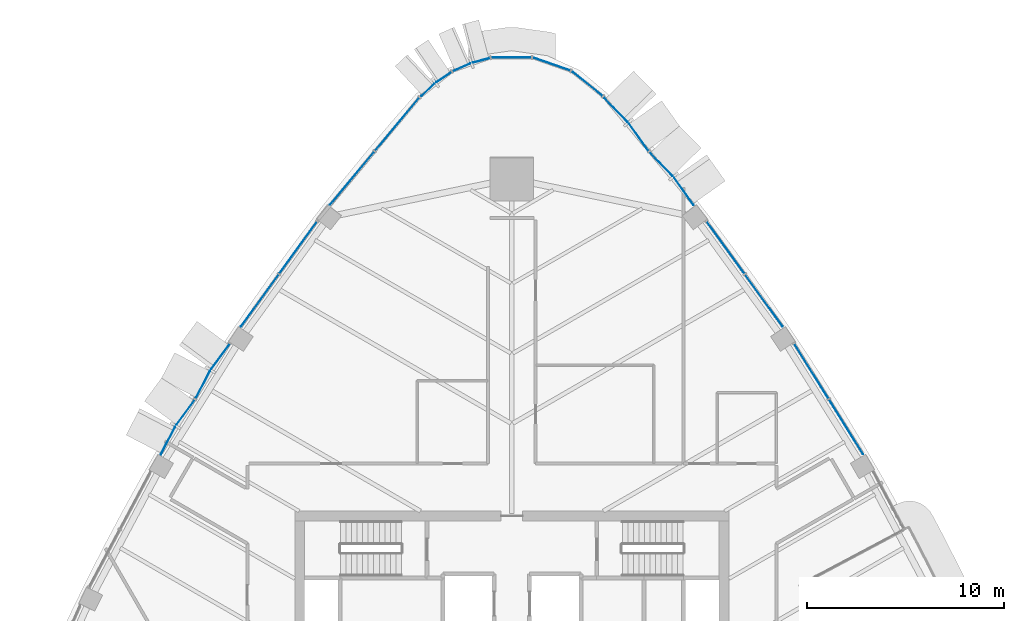
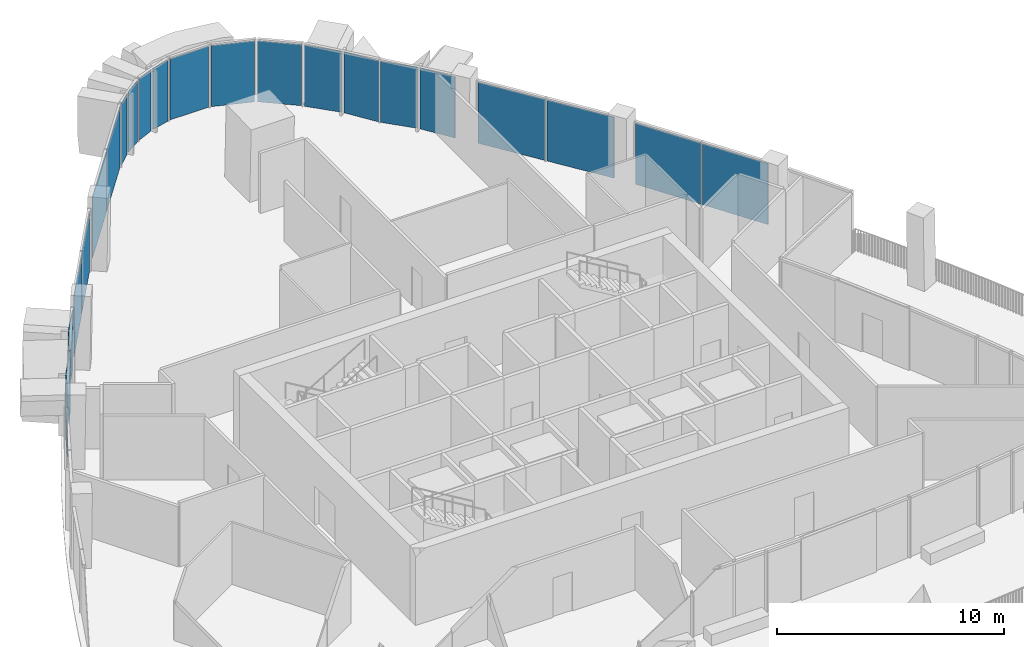
# One storey, part 12 of 21: 23 plates, 11 elements without a shape of their own.
"""IFC4 building model written with IfcOpenShell, lengths in metres."""

from ifc_helpers import new_model, si_unit, direction, frame, origin, origin_2d, place, context, subcontext, project, spatial, polyline, rectangle, outline, extrude, material, layer, layer_set, type_object, element, aggregate, save


model = new_model("IFC4")

# Units and contexts
model_context = context("Model", 3, precision=1e-05, world=origin(), true_north=direction((0.0, 1.0)))
body_context = subcontext(model_context, "Body", "Model", "MODEL_VIEW")
ifc_project = project(units=[si_unit("LENGTHUNIT", "METRE"), si_unit("AREAUNIT", "SQUARE_METRE"), si_unit("VOLUMEUNIT", "CUBIC_METRE"), si_unit("PLANEANGLEUNIT", "RADIAN"), si_unit("MASSUNIT", "GRAM", prefix="KILO")], contexts=[model_context])

# Site, building, storey
site_placement = place(None, origin())
site = spatial("IfcSite", under=ifc_project, at=site_placement, CompositionType="ELEMENT")
building_placement = place(site_placement, origin())
building = spatial("IfcBuilding", under=site, at=building_placement, Name="Sierra Prisma Convention Tower", CompositionType="ELEMENT")
storey_placement = place(building_placement, frame((0.0, 0.0, 259.0)))
storey = spatial("IfcBuildingStorey", under=building, at=storey_placement, Name="L58", CompositionType="ELEMENT", Elevation=259.0)

# Curtain wall, plates
ifc_material_1 = material(Name="Aluminium and glass curtain wall", Category="aluminium")
ifc_layer_1 = layer(ifc_material_1, 0.179931640625)
ifc_layer_set_1 = layer_set([ifc_layer_1], Name="CW-1 Plain shaft curtain wall")
curtain_wall_type_1 = type_object("IfcCurtainWallType", Name="CW-1 Plain shaft curtain wall", PredefinedType="NOTDEFINED", material=ifc_layer_set_1)
curtain_wall_1_placement = place(storey_placement, origin())
curtain_wall_1 = element("IfcCurtainWall", 1, at=curtain_wall_1_placement, inside=storey, type_object=curtain_wall_type_1, Name="CW-1 NE4 L58", PredefinedType="NOTDEFINED")
ifc_material_2 = material(Name="Tinted glass bronze-grey IGU", Category="glass")
ifc_layer_2 = layer(ifc_material_2, 0.028076171875)
ifc_layer_set_2 = layer_set([ifc_layer_2], Name="CW-1 glass panel")
plate_type_1 = type_object("IfcPlateType", Name="CW-1 glass panel", PredefinedType="CURTAIN_PANEL", material=ifc_layer_set_2)
plate_1_placement = place(storey_placement, frame((16.937744140625, 12.261474609375, 0.0), z_axis=(0.0, 0.0, 1.0), x_axis=(-0.529351013322, 0.848402914125, 0.0)))
plate_1 = element("IfcPlate", 2, at=plate_1_placement, type_object=plate_type_1, Name="CW-1 panel NE4.1", PredefinedType="CURTAIN_PANEL", context=body_context, shape_type="SweptSolid", body=[
    extrude(rectangle(XDim=3.262451171875, YDim=0.028076171875, at=origin_2d()), origin(), (0.0, 0.0, 1.0), 3.280029296875),
])
plate_2_placement = place(storey_placement, frame((15.173583984375, 15.088623046875, 0.0), z_axis=(0.0, 0.0, 1.0), x_axis=(-0.529351013322, 0.848402914125, 0.0)))
plate_2 = element("IfcPlate", 3, at=plate_2_placement, type_object=plate_type_1, Name="CW-1 panel NE4.2", PredefinedType="CURTAIN_PANEL", context=body_context, shape_type="SweptSolid", body=[
    extrude(rectangle(XDim=3.262451171875, YDim=0.028076171875, at=origin_2d()), origin(), (0.0, 0.0, 1.0), 3.280029296875),
])
aggregate(curtain_wall_1, [plate_1, plate_2])

curtain_wall_2_placement = place(storey_placement, origin())
curtain_wall_2 = element("IfcCurtainWall", 4, at=curtain_wall_2_placement, inside=storey, type_object=curtain_wall_type_1, Name="CW-1 NE5 L58", PredefinedType="NOTDEFINED")
plate_3_placement = place(storey_placement, frame((12.77197265625, 18.66064453125, 0.0), z_axis=(0.0, 0.0, 1.0), x_axis=(-0.586158114386, 0.810196682873, 0.0)))
plate_3 = element("IfcPlate", 5, at=plate_3_placement, type_object=plate_type_1, Name="CW-1 panel NE5.1", PredefinedType="CURTAIN_PANEL", context=body_context, shape_type="SweptSolid", body=[
    extrude(rectangle(XDim=3.247314453125, YDim=0.028076171875, at=origin_2d()), origin(), (0.0, 0.0, 1.0), 3.280029296875),
])
plate_4_placement = place(storey_placement, frame((10.82763671875, 21.348388671875, 0.0), z_axis=(0.0, 0.0, 1.0), x_axis=(-0.586158114386, 0.810196682873, 0.0)))
plate_4 = element("IfcPlate", 6, at=plate_4_placement, type_object=plate_type_1, Name="CW-1 panel NE5.2", PredefinedType="CURTAIN_PANEL", context=body_context, shape_type="SweptSolid", body=[
    extrude(rectangle(XDim=3.247314453125, YDim=0.028076171875, at=origin_2d()), origin(), (0.0, 0.0, 1.0), 3.280029296875),
])
aggregate(curtain_wall_2, [plate_3, plate_4])

# Curtain wall, plate
curtain_wall_3_placement = place(storey_placement, origin())
curtain_wall_3 = element("IfcCurtainWall", 7, at=curtain_wall_3_placement, inside=storey, type_object=curtain_wall_type_1, Name="CW-1 N1 L58", PredefinedType="NOTDEFINED")
plate_5_placement = place(storey_placement, frame((3.833984375, 29.645263671875, 0.0), z_axis=(0.0, 0.0, 1.0), x_axis=(-0.781692009239, 0.623664655638, 0.0)))
plate_5 = element("IfcPlate", 8, at=plate_5_placement, type_object=plate_type_1, Name="CW-1 panel N1.1", PredefinedType="CURTAIN_PANEL", context=body_context, shape_type="SweptSolid", body=[
    extrude(rectangle(XDim=1.94970703125, YDim=0.028076171875, at=origin_2d()), origin(), (0.0, 0.0, 1.0), 3.280029296875),
])
aggregate(curtain_wall_3, [plate_5])

curtain_wall_4_placement = place(storey_placement, origin())
curtain_wall_4 = element("IfcCurtainWall", 9, at=curtain_wall_4_placement, inside=storey, type_object=curtain_wall_type_1, Name="CW-1 N2 L58", PredefinedType="NOTDEFINED")
plate_6_placement = place(storey_placement, frame((2.031005859375, 30.64208984375, 0.0), z_axis=(0.0, 0.0, 1.0), x_axis=(-0.943846388254, 0.330384617349, 0.0)))
plate_6 = element("IfcPlate", 10, at=plate_6_placement, type_object=plate_type_1, Name="CW-1 panel N2.1", PredefinedType="CURTAIN_PANEL", context=body_context, shape_type="SweptSolid", body=[
    extrude(rectangle(XDim=1.94970703125, YDim=0.028076171875, at=origin_2d()), origin(), (0.0, 0.0, 1.0), 3.280029296875),
])
aggregate(curtain_wall_4, [plate_6])

curtain_wall_5_placement = place(storey_placement, origin())
curtain_wall_5 = element("IfcCurtainWall", 11, at=curtain_wall_5_placement, inside=storey, type_object=curtain_wall_type_1, Name="CW-1 N3 L58", PredefinedType="NOTDEFINED")
plate_7_placement = place(storey_placement, frame((0.0, 30.9873046875, 0.0), z_axis=(0.0, 0.0, 1.0), x_axis=(-1.0, 0.0, 0.0)))
plate_7 = element("IfcPlate", 12, at=plate_7_placement, type_object=plate_type_1, Name="CW-1 panel N3.1", PredefinedType="CURTAIN_PANEL", context=body_context, shape_type="SweptSolid", body=[
    extrude(rectangle(XDim=1.94970703125, YDim=0.028076171875, at=origin_2d()), origin(), (0.0, 0.0, 1.0), 3.280029296875),
])
aggregate(curtain_wall_5, [plate_7])

# Curtain wall, plates
curtain_wall_6_placement = place(storey_placement, origin())
curtain_wall_6 = element("IfcCurtainWall", 13, at=curtain_wall_6_placement, inside=storey, type_object=curtain_wall_type_1, Name="CW-1 NW1 L58", PredefinedType="NOTDEFINED")
plate_8_placement = place(storey_placement, frame((-5.81396484375, 27.597900390625, 0.0), z_axis=(0.0, 0.0, 1.0), x_axis=(-0.64021803137, -0.768193251929, 0.0)))
plate_8 = element("IfcPlate", 14, at=plate_8_placement, type_object=plate_type_1, Name="CW-1 panel NW1.1", PredefinedType="CURTAIN_PANEL", context=body_context, shape_type="SweptSolid", body=[
    extrude(rectangle(XDim=3.493408203125, YDim=0.028076171875, at=origin_2d()), origin(), (0.0, 0.0, 1.0), 3.280029296875),
])
plate_9_placement = place(storey_placement, frame((-8.09521484375, 24.860595703125, 0.0), z_axis=(0.0, 0.0, 1.0), x_axis=(-0.64021803137, -0.768193251929, 0.0)))
plate_9 = element("IfcPlate", 15, at=plate_9_placement, type_object=plate_type_1, Name="CW-1 panel NW1.2", PredefinedType="CURTAIN_PANEL", context=body_context, shape_type="SweptSolid", body=[
    extrude(rectangle(XDim=3.493408203125, YDim=0.028076171875, at=origin_2d()), origin(), (0.0, 0.0, 1.0), 3.280029296875),
])
aggregate(curtain_wall_6, [plate_8, plate_9])

curtain_wall_7_placement = place(storey_placement, origin())
curtain_wall_7 = element("IfcCurtainWall", 16, at=curtain_wall_7_placement, inside=storey, type_object=curtain_wall_type_1, Name="CW-1 NW2 L58", PredefinedType="NOTDEFINED")
plate_10_placement = place(storey_placement, frame((-10.828369140625, 21.347412109375, 0.0), z_axis=(0.0, 0.0, 1.0), x_axis=(-0.586158114386, -0.810196682873, 0.0)))
plate_10 = element("IfcPlate", 17, at=plate_10_placement, type_object=plate_type_1, Name="CW-1 panel NW2.1", PredefinedType="CURTAIN_PANEL", context=body_context, shape_type="SweptSolid", body=[
    extrude(rectangle(XDim=3.246337890625, YDim=0.028076171875, at=origin_2d()), origin(), (0.0, 0.0, 1.0), 3.280029296875),
])
plate_11_placement = place(storey_placement, frame((-12.7724609375, 18.660400390625, 0.0), z_axis=(0.0, 0.0, 1.0), x_axis=(-0.586158114386, -0.810196682873, 0.0)))
plate_11 = element("IfcPlate", 18, at=plate_11_placement, type_object=plate_type_1, Name="CW-1 panel NW2.2", PredefinedType="CURTAIN_PANEL", context=body_context, shape_type="SweptSolid", body=[
    extrude(rectangle(XDim=3.246337890625, YDim=0.028076171875, at=origin_2d()), origin(), (0.0, 0.0, 1.0), 3.280029296875),
])
aggregate(curtain_wall_7, [plate_10, plate_11])

ifc_material_3 = material(Name="Aluminium and glass curtain wall", Category="aluminium")
ifc_layer_3 = layer(ifc_material_3, 0.179931640625)
ifc_layer_set_3 = layer_set([ifc_layer_3], Name="CW-2 Faceted crystal curtain wall")
curtain_wall_type_2 = type_object("IfcCurtainWallType", Name="CW-2 Faceted crystal curtain wall", PredefinedType="NOTDEFINED", material=ifc_layer_set_3)
curtain_wall_8_placement = place(storey_placement, origin())
curtain_wall_8 = element("IfcCurtainWall", 19, at=curtain_wall_8_placement, inside=storey, type_object=curtain_wall_type_2, Name="CW-2 NE6 L58", PredefinedType="NOTDEFINED")
ifc_material_4 = material(Name="Tinted glass bronze-grey IGU", Category="glass")
ifc_layer_4 = layer(ifc_material_4, 0.028076171875)
ifc_layer_set_4 = layer_set([ifc_layer_4], Name="CW-2 crystal pane")
plate_type_2 = type_object("IfcPlateType", Name="CW-2 crystal pane", PredefinedType="CURTAIN_PANEL", material=ifc_layer_set_4)
plate_12_placement = place(storey_placement, frame((9.21337890625, 23.518798828125, 0.0), z_axis=(0.816044389301, 0.577989234061, 0.0), x_axis=(-0.577989234061, 0.816044389301, 0.0)))
plate_12 = element("IfcPlate", 20, at=plate_12_placement, type_object=plate_type_2, Name="CW-2 pane NE6.1.1", PredefinedType="CURTAIN_PANEL", context=body_context, shape_type="SweptSolid", body=[
    extrude(outline(polyline([(0.0, 0.0), (1.687051589870057, 0.0), (1.687051589870057, 3.280029296875), (0.0, 3.280029296875), (0.0, 0.0)])), origin(), (0.0, 0.0, -1.0), 0.028076171875),
])
plate_13_placement = place(storey_placement, frame((6.97705078125, 26.202392578125, 0.0), z_axis=(0.715593150294, 0.69851731779, 0.0), x_axis=(0.69851731779, -0.715593150294, 0.0)))
plate_13 = element("IfcPlate", 21, at=plate_13_placement, type_object=plate_type_2, Name="CW-2 pane NE6.1.2", PredefinedType="CURTAIN_PANEL", context=body_context, shape_type="SweptSolid", body=[
    extrude(outline(polyline([(0.0, 0.0), (1.6870974661072693, 0.0), (1.6870974661072693, -3.280029296875001), (0.0, -3.280029296875001), (0.0, 0.0)])), origin(), (0.0, 0.0, -1.0), 0.028076171875),
])
plate_14_placement = place(storey_placement, frame((6.93212890625, 26.256103515625, 0.0), z_axis=(0.816092725696, 0.57792098341, 0.0), x_axis=(-0.57792098341, 0.816092725696, 0.0)))
plate_14 = element("IfcPlate", 22, at=plate_14_placement, type_object=plate_type_2, Name="CW-2 pane NE6.2.1", PredefinedType="CURTAIN_PANEL", context=body_context, shape_type="SweptSolid", body=[
    extrude(outline(polyline([(0.0, 0.0), (1.687250825358076, 0.0), (1.687250825358076, 3.280029296875), (0.0, 3.280029296875), (0.0, 0.0)])), origin(), (0.0, 0.0, -1.0), 0.028076171875),
])
plate_15_placement = place(storey_placement, frame((4.695556640625, 28.939697265625, 0.0), z_axis=(0.715593150294, 0.69851731779, 0.0), x_axis=(0.69851731779, -0.715593150294, 0.0)))
plate_15 = element("IfcPlate", 23, at=plate_15_placement, type_object=plate_type_2, Name="CW-2 pane NE6.2.2", PredefinedType="CURTAIN_PANEL", context=body_context, shape_type="SweptSolid", body=[
    extrude(outline(polyline([(0.0, 0.0), (1.6870974661072693, 0.0), (1.6870974661072693, -3.280029296875001), (0.0, -3.280029296875001), (0.0, 0.0)])), origin(), (0.0, 0.0, -1.0), 0.028076171875),
])
aggregate(curtain_wall_8, [plate_12, plate_13, plate_14, plate_15])

curtain_wall_9_placement = place(storey_placement, origin())
curtain_wall_9 = element("IfcCurtainWall", 24, at=curtain_wall_9_placement, inside=storey, type_object=curtain_wall_type_2, Name="CW-2 N4 L58", PredefinedType="NOTDEFINED")
plate_16_placement = place(storey_placement, frame((-1.11083984375, 30.964111328125, 0.0), z_axis=(-0.255348679779, 0.966849032546, 0.0), x_axis=(-0.966849032546, -0.255348679779, 0.0)))
plate_16 = element("IfcPlate", 25, at=plate_16_placement, type_object=plate_type_2, Name="CW-2 pane N4.1.1", PredefinedType="CURTAIN_PANEL", context=body_context, shape_type="SweptSolid", body=[
    extrude(outline(polyline([(0.0, 0.0), (0.9130820534363413, 0.0), (0.9130820534363413, 3.280029296875), (0.0, 3.280029296875), (0.0, 0.0)])), origin(), (0.0, 0.0, -1.0), 0.028076171875),
])
plate_17_placement = place(storey_placement, frame((-2.951171875, 30.320068359375, 0.0), z_axis=(-0.403357020679, 0.915042684179, 0.0), x_axis=(0.915042684179, 0.403357020679, 0.0)))
plate_17 = element("IfcPlate", 26, at=plate_17_placement, type_object=plate_type_2, Name="CW-2 pane N4.1.2", PredefinedType="CURTAIN_PANEL", context=body_context, shape_type="SweptSolid", body=[
    extrude(outline(polyline([(0.0, 0.0), (0.9127498558982583, 0.0), (0.9127498558982583, -3.280029296875), (0.0, -3.280029296875), (0.0, 0.0)])), origin(), (0.0, 0.0, -1.0), 0.028076171875),
])
aggregate(curtain_wall_9, [plate_16, plate_17])

curtain_wall_10_placement = place(storey_placement, origin())
curtain_wall_10 = element("IfcCurtainWall", 27, at=curtain_wall_10_placement, inside=storey, type_object=curtain_wall_type_2, Name="CW-2 N5 L58", PredefinedType="NOTDEFINED")
plate_18_placement = place(storey_placement, frame((-3.072021484375, 30.253173828125, 0.0), z_axis=(-0.560303971112, 0.828287063739, 0.0), x_axis=(-0.828287063739, -0.560303971112, 0.0)))
plate_18 = element("IfcPlate", 28, at=plate_18_placement, type_object=plate_type_2, Name="CW-2 pane N5.1.1", PredefinedType="CURTAIN_PANEL", context=body_context, shape_type="SweptSolid", body=[
    extrude(outline(polyline([(0.0, 0.0), (0.9128520155949669, 0.0), (0.9128520155949669, 3.280029296875), (0.0, 3.280029296875), (0.0, 0.0)])), origin(), (0.0, 0.0, -1.0), 0.028076171875),
])
plate_19_placement = place(storey_placement, frame((-4.595947265625, 29.037109375, 0.0), z_axis=(-0.683318142243, 0.730120754726, 0.0), x_axis=(0.730120754726, 0.683318142243, 0.0)))
plate_19 = element("IfcPlate", 29, at=plate_19_placement, type_object=plate_type_2, Name="CW-2 pane N5.1.2", PredefinedType="CURTAIN_PANEL", context=body_context, shape_type="SweptSolid", body=[
    extrude(outline(polyline([(0.0, 0.0), (0.9128680453693065, 0.0), (0.9128680453693065, -3.280029296875), (0.0, -3.280029296875), (0.0, 0.0)])), origin(), (0.0, 0.0, -1.0), 0.028076171875),
])
aggregate(curtain_wall_10, [plate_18, plate_19])

curtain_wall_11_placement = place(storey_placement, origin())
curtain_wall_11 = element("IfcCurtainWall", 30, at=curtain_wall_11_placement, inside=storey, type_object=curtain_wall_type_2, Name="CW-2 NW3 L58", PredefinedType="NOTDEFINED")
plate_20_placement = place(storey_placement, frame((-14.310302734375, 16.472412109375, 0.0), z_axis=(-0.804231032823, 0.594316789132, 0.0), x_axis=(-0.594316789132, -0.804231032823, 0.0)))
plate_20 = element("IfcPlate", 31, at=plate_20_placement, type_object=plate_type_2, Name="CW-2 pane NW3.1.1", PredefinedType="CURTAIN_PANEL", context=body_context, shape_type="SweptSolid", body=[
    extrude(outline(polyline([(0.0, 0.0), (1.5712796739068973, 0.0), (1.5712796739068973, 3.280029296875001), (0.0, 3.280029296875001), (0.0, 0.0)])), origin(), (0.0, 0.0, -1.0), 0.028076171875),
])
plate_21_placement = place(storey_placement, frame((-16.037109375, 13.70458984375, 0.0), z_axis=(-0.887389734041, 0.461020021169, 0.0), x_axis=(0.461020021169, 0.887389734041, 0.0)))
plate_21 = element("IfcPlate", 32, at=plate_21_placement, type_object=plate_type_2, Name="CW-2 pane NW3.1.2", PredefinedType="CURTAIN_PANEL", context=body_context, shape_type="SweptSolid", body=[
    extrude(outline(polyline([(0.0, 0.0), (1.571222942850709, 0.0), (1.571222942850709, -3.280029296874999), (0.0, -3.280029296874999), (0.0, 0.0)])), origin(), (0.0, 0.0, -1.0), 0.028076171875),
])
plate_22_placement = place(storey_placement, frame((-16.07421875, 13.645263671875, 0.0), z_axis=(-0.804231032823, 0.594316789132, 0.0), x_axis=(-0.594316789132, -0.804231032823, 0.0)))
plate_22 = element("IfcPlate", 33, at=plate_22_placement, type_object=plate_type_2, Name="CW-2 pane NW3.2.1", PredefinedType="CURTAIN_PANEL", context=body_context, shape_type="SweptSolid", body=[
    extrude(outline(polyline([(0.0, 0.0), (1.5712796739068973, 0.0), (1.5712796739068973, 3.280029296875001), (0.0, 3.280029296875001), (0.0, 0.0)])), origin(), (0.0, 0.0, -1.0), 0.028076171875),
])
plate_23_placement = place(storey_placement, frame((-17.80126953125, 10.877685546875, 0.0), z_axis=(-0.887293115551, 0.461205948679, 0.0), x_axis=(0.461205948679, 0.887293115551, 0.0)))
plate_23 = element("IfcPlate", 34, at=plate_23_placement, type_object=plate_type_2, Name="CW-2 pane NW3.2.2", PredefinedType="CURTAIN_PANEL", context=body_context, shape_type="SweptSolid", body=[
    extrude(outline(polyline([(0.0, 0.0), (1.5711188831718637, 0.0), (1.5711188831718637, -3.280029296875), (0.0, -3.280029296875), (0.0, 0.0)])), origin(), (0.0, 0.0, -1.0), 0.028076171875),
])
aggregate(curtain_wall_11, [plate_20, plate_21, plate_22, plate_23])

save(model, "model.ifc")
